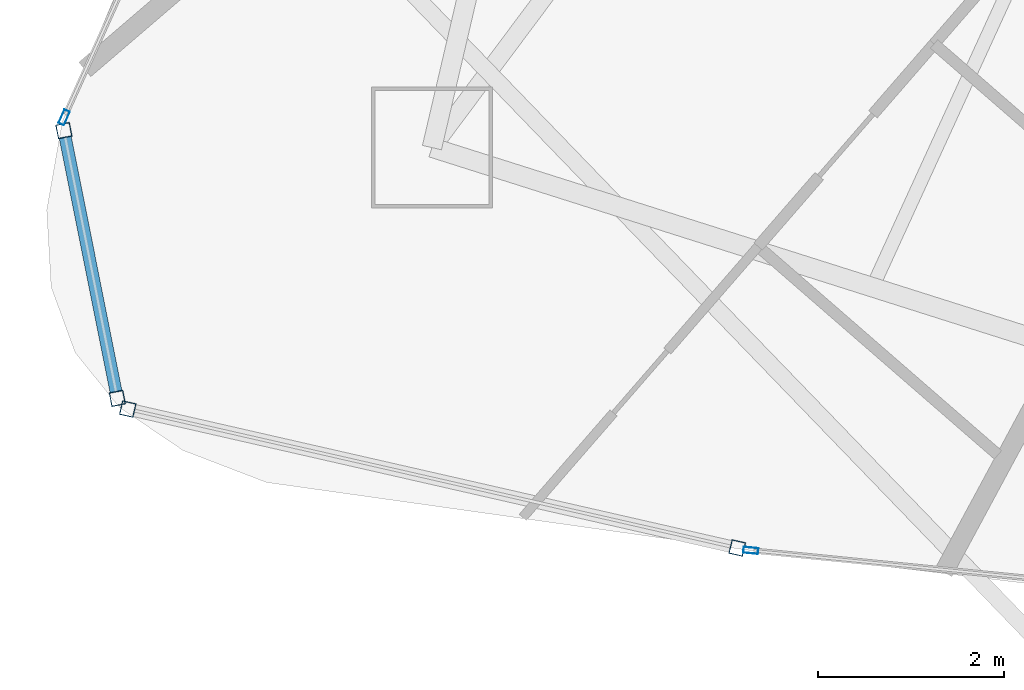
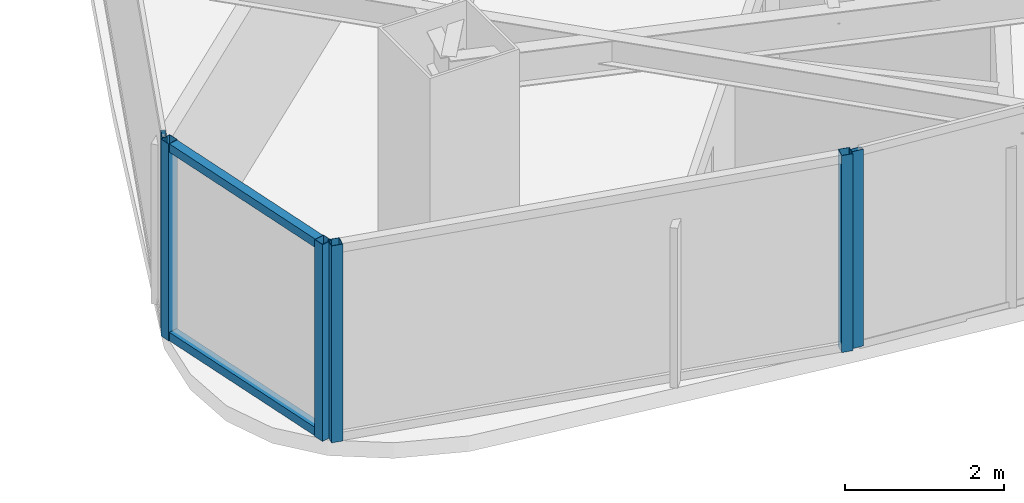
# One storey, part 2 of 30: 8 members, 4 elements without a shape of their own.
"""IFC4 building model written with IfcOpenShell, lengths in metres."""

from ifc_helpers import new_model, si_unit, direction, frame, origin, origin_2d, place, context, subcontext, project, spatial, hollow_rectangle, extrude, material, layer, layer_set, material_profile, profile_set, type_object, element, aggregate, save


model = new_model("IFC4")

# Units and contexts
model_context = context("Model", 3, precision=1e-05, world=origin(), true_north=direction((0.0, 1.0)))
body_context = subcontext(model_context, "Body", "Model", "MODEL_VIEW")
ifc_project = project(units=[si_unit("LENGTHUNIT", "METRE"), si_unit("AREAUNIT", "SQUARE_METRE"), si_unit("VOLUMEUNIT", "CUBIC_METRE"), si_unit("PLANEANGLEUNIT", "RADIAN"), si_unit("MASSUNIT", "GRAM", prefix="KILO")], contexts=[model_context])

# Site, building, storey
site_placement = place(None, origin())
site = spatial("IfcSite", under=ifc_project, at=site_placement, CompositionType="ELEMENT")
building_placement = place(site_placement, origin())
building = spatial("IfcBuilding", under=site, at=building_placement, Name="Orvanel Arch Residences", CompositionType="ELEMENT")
storey_placement = place(building_placement, frame((0.0, 0.0, 232.699951171875)))
storey = spatial("IfcBuildingStorey", under=building, at=storey_placement, Name="L66", CompositionType="ELEMENT", Elevation=232.699951171875)

# Curtain wall, members
ifc_material = material(Name="Bronze-anodised aluminium AA6063-T6", Category="aluminium")
ifc_layer_1 = layer(ifc_material, 0.18994140625)
ifc_layer_set_1 = layer_set([ifc_layer_1], Name="Bronze-anodised aluminium AA6063-T6")
curtain_wall_type_1 = type_object("IfcCurtainWallType", Name="CW5-CRN-SYS", PredefinedType="NOTDEFINED", material=ifc_layer_set_1)
curtain_wall_1_placement = place(storey_placement, origin())
curtain_wall_1 = element("IfcCurtainWall", 1, at=curtain_wall_1_placement, inside=storey, type_object=curtain_wall_type_1, Name="L66 CW5-CRN-SYS Unitised Curtain Wall", PredefinedType="NOTDEFINED")
ifc_material_profile_1 = material_profile(ifc_material, hollow_rectangle(XDim=0.14990234375, YDim=0.14990234375, WallThickness=0.0048828125, at=origin_2d()), Name="ALU150x150x5")
ifc_profile_set_1 = profile_set([ifc_material_profile_1], Name="Bronze-anodised aluminium AA6063-T6")
member_type_1 = type_object("IfcMemberType", Name="MUL-150x150", PredefinedType="MULLION", material=ifc_profile_set_1)
member_1_placement = place(storey_placement, frame((10.250732421875, 10.533447265625, 0.0), z_axis=(0.0, 0.0, 1.0), x_axis=(0.980643071416, 0.195803898032, 0.0)))
member_1 = element("IfcMember", 2, at=member_1_placement, type_object=member_type_1, Name="CW-S5 mullion 1", PredefinedType="MULLION", context=body_context, shape_type="SweptSolid", body=[
    extrude(hollow_rectangle(XDim=0.14990234375, YDim=0.14990234375, WallThickness=0.0048828125, at=origin_2d()), origin(), (0.0, 0.0, 1.0), 3.02001953125),
])
member_2_placement = place(storey_placement, frame((10.82421875, 7.66064453125, 0.0), z_axis=(0.0, 0.0, 1.0), x_axis=(0.980643071416, 0.195803898032, 0.0)))
member_2 = element("IfcMember", 3, at=member_2_placement, type_object=member_type_1, Name="CW-S5 mullion 2", PredefinedType="MULLION", context=body_context, shape_type="SweptSolid", body=[
    extrude(hollow_rectangle(XDim=0.14990234375, YDim=0.14990234375, WallThickness=0.0048828125, at=origin_2d()), origin(), (0.0, 0.0, 1.0), 3.02001953125),
])

curtain_wall_2_placement = place(storey_placement, origin())
curtain_wall_2 = element("IfcCurtainWall", 4, at=curtain_wall_2_placement, inside=storey, type_object=curtain_wall_type_1, Name="L66 CW5-CRN-SYS Unitised Curtain Wall", PredefinedType="NOTDEFINED")
member_3_placement = place(storey_placement, frame((10.93603515625, 7.54638671875, 0.0), z_axis=(0.0, 0.0, 1.0), x_axis=(0.222301955264, 0.974977866767, 0.0)))
member_3 = element("IfcMember", 5, at=member_3_placement, type_object=member_type_1, Name="CW-S5 mullion 1", PredefinedType="MULLION", context=body_context, shape_type="SweptSolid", body=[
    extrude(hollow_rectangle(XDim=0.14990234375, YDim=0.14990234375, WallThickness=0.0048828125, at=origin_2d()), origin(), (0.0, 0.0, 1.0), 3.02001953125),
])
member_4_placement = place(storey_placement, frame((17.473876953125, 6.0556640625, 0.0), z_axis=(0.0, 0.0, 1.0), x_axis=(0.222301955264, 0.974977866767, 0.0)))
member_4 = element("IfcMember", 6, at=member_4_placement, type_object=member_type_1, Name="CW-S5 mullion 2", PredefinedType="MULLION", context=body_context, shape_type="SweptSolid", body=[
    extrude(hollow_rectangle(XDim=0.14990234375, YDim=0.14990234375, WallThickness=0.0048828125, at=origin_2d()), origin(), (0.0, 0.0, 1.0), 3.02001953125),
])
aggregate(curtain_wall_2, [member_3, member_4])

# Curtain wall, member
ifc_layer_2 = layer(ifc_material, 0.175048828125)
ifc_layer_set_2 = layer_set([ifc_layer_2], Name="Bronze-anodised aluminium AA6063-T6")
curtain_wall_type_2 = type_object("IfcCurtainWallType", Name="CW4-HI-SYS", PredefinedType="NOTDEFINED", material=ifc_layer_set_2)
curtain_wall_3_placement = place(storey_placement, origin())
curtain_wall_3 = element("IfcCurtainWall", 7, at=curtain_wall_3_placement, inside=storey, type_object=curtain_wall_type_2, Name="L66 CW4-HI-SYS Unitised Curtain Wall", PredefinedType="NOTDEFINED")
ifc_material_profile_2 = material_profile(ifc_material, hollow_rectangle(XDim=0.06494140625, YDim=0.159912109375, WallThickness=0.00390625, at=origin_2d()), Name="ALU160x65x4")
ifc_profile_set_2 = profile_set([ifc_material_profile_2], Name="Bronze-anodised aluminium AA6063-T6")
member_type_2 = type_object("IfcMemberType", Name="MUL-160x65", PredefinedType="MULLION", material=ifc_profile_set_2)
member_5_placement = place(storey_placement, frame((10.25341796875, 10.674560546875, 0.0), z_axis=(0.0, 0.0, 1.0), x_axis=(0.911577429328, -0.411128435335, 0.0)))
member_5 = element("IfcMember", 8, at=member_5_placement, type_object=member_type_2, Name="CW-S4 mullion 3", PredefinedType="MULLION", context=body_context, shape_type="SweptSolid", body=[
    extrude(hollow_rectangle(XDim=0.06494140625, YDim=0.159912109375, WallThickness=0.00390625, at=origin_2d()), origin(), (0.0, 0.0, 1.0), 3.02001953125),
])
aggregate(curtain_wall_3, [member_5])

curtain_wall_4_placement = place(storey_placement, origin())
curtain_wall_4 = element("IfcCurtainWall", 9, at=curtain_wall_4_placement, inside=storey, type_object=curtain_wall_type_2, Name="L66 CW4-HI-SYS Unitised Curtain Wall", PredefinedType="NOTDEFINED")
member_6_placement = place(storey_placement, frame((17.619384765625, 6.02978515625, 0.0), z_axis=(0.0, 0.0, 1.0), x_axis=(0.099032673027, 0.995084182204, 0.0)))
member_6 = element("IfcMember", 10, at=member_6_placement, type_object=member_type_2, Name="CW-S4 mullion 1", PredefinedType="MULLION", context=body_context, shape_type="SweptSolid", body=[
    extrude(hollow_rectangle(XDim=0.06494140625, YDim=0.159912109375, WallThickness=0.00390625, at=origin_2d()), origin(), (0.0, 0.0, 1.0), 3.02001953125),
])
aggregate(curtain_wall_4, [member_6])

# Member
ifc_material_profile_3 = material_profile(ifc_material, hollow_rectangle(XDim=0.1298828125, YDim=0.1298828125, WallThickness=0.00439453125, at=origin_2d()), Name="ALU130x130x4.5")
ifc_profile_set_3 = profile_set([ifc_material_profile_3], Name="Bronze-anodised aluminium AA6063-T6")
member_type_3 = type_object("IfcMemberType", Name="TRN-130x130", PredefinedType="USERDEFINED", material=ifc_profile_set_3)
member_7_placement = place(storey_placement, frame((10.265380859375, 10.4599609375, 0.06494140625), z_axis=(0.195778306772, -0.980648180847, 0.0), x_axis=(0.980648180847, 0.195778306772, 0.0)))
member_7 = element("IfcMember", 11, at=member_7_placement, type_object=member_type_3, Name="CW-S5 transom 1.1", ObjectType="TRANSOM", PredefinedType="USERDEFINED", context=body_context, shape_type="SweptSolid", body=[
    extrude(hollow_rectangle(XDim=0.1298828125, YDim=0.1298828125, WallThickness=0.00439453125, at=origin_2d()), origin(), (0.0, 0.0, 1.0), 2.779541015625),
])

member_8_placement = place(storey_placement, frame((10.265380859375, 10.4599609375, 2.955078125), z_axis=(0.195778306772, -0.980648180847, 0.0), x_axis=(0.980648180847, 0.195778306772, 0.0)))
member_8 = element("IfcMember", 12, at=member_8_placement, type_object=member_type_3, Name="CW-S5 transom 1.2", ObjectType="TRANSOM", PredefinedType="USERDEFINED", context=body_context, shape_type="SweptSolid", body=[
    extrude(hollow_rectangle(XDim=0.1298828125, YDim=0.1298828125, WallThickness=0.00439453125, at=origin_2d()), origin(), (0.0, 0.0, 1.0), 2.779541015625),
])

aggregate(curtain_wall_1, [member_1, member_2, member_7, member_8])

save(model, "model.ifc")
